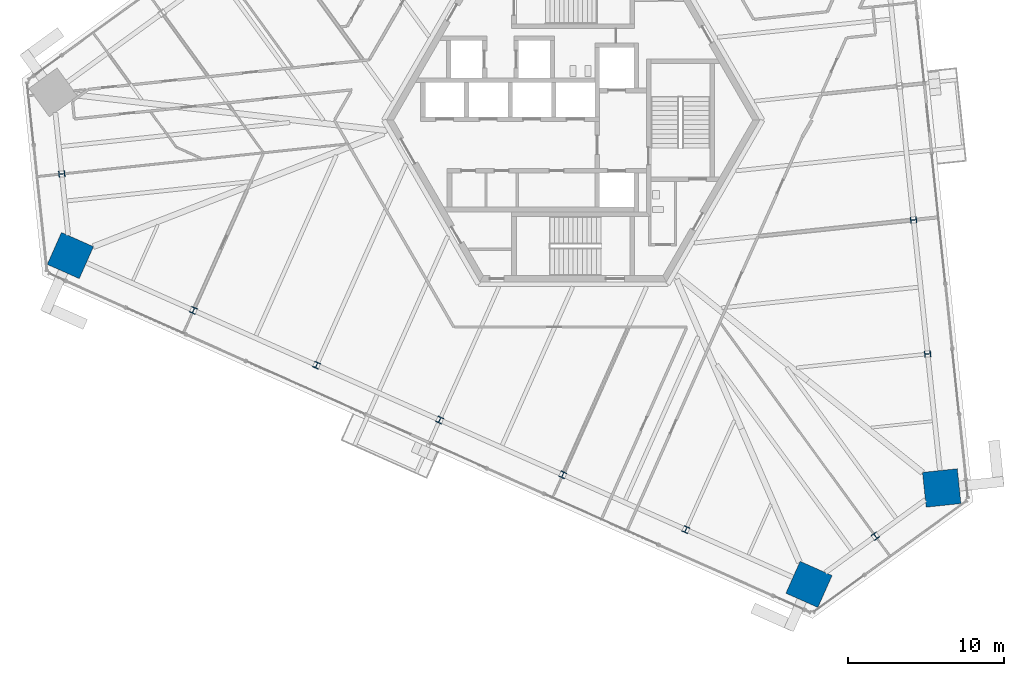
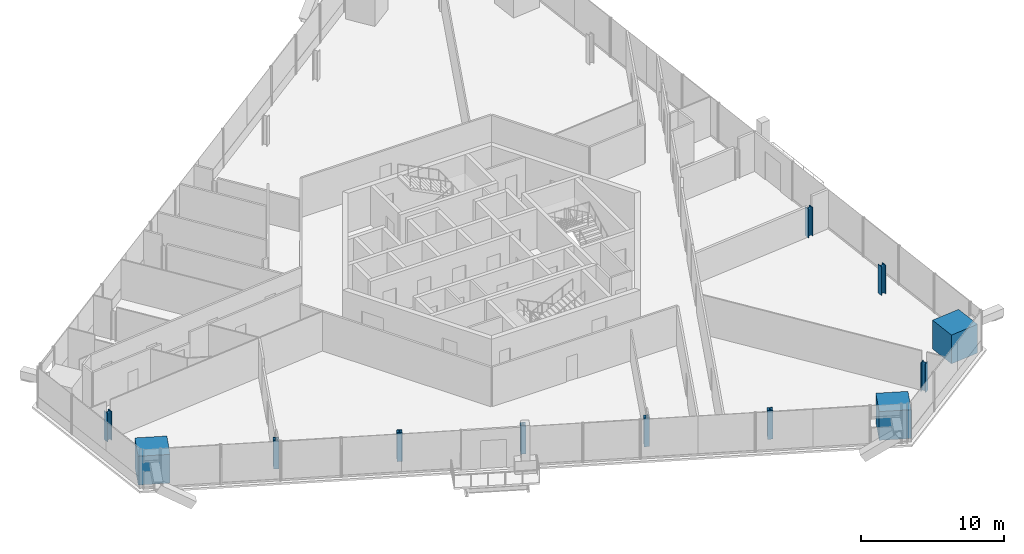
# One storey, part 1 of 25: 12 columns.
"""IFC4 building model written with IfcOpenShell, lengths in metres."""

from ifc_helpers import new_model, si_unit, direction, frame, origin, origin_2d, place, context, subcontext, project, spatial, rectangle, i_section, extrude, source, transform, mapped, material, material_profile, profile_set, type_object, element, save


model = new_model("IFC4")

# Units and contexts
model_context = context("Model", 3, precision=1e-05, world=origin(), true_north=direction((0.0, 1.0)))
body_context = subcontext(model_context, "Body", "Model", "MODEL_VIEW")
ifc_project = project(units=[si_unit("LENGTHUNIT", "METRE"), si_unit("AREAUNIT", "SQUARE_METRE"), si_unit("VOLUMEUNIT", "CUBIC_METRE"), si_unit("PLANEANGLEUNIT", "RADIAN"), si_unit("MASSUNIT", "GRAM", prefix="KILO")], contexts=[model_context])

# Site, building, storey
site_placement = place(None, origin())
site = spatial("IfcSite", under=ifc_project, at=site_placement, CompositionType="ELEMENT")
building_placement = place(site_placement, origin())
building = spatial("IfcBuilding", under=site, at=building_placement, Name="Triune Harvest Tower", CompositionType="ELEMENT")
storey_placement = place(building_placement, frame((0.0, 0.0, 90.89990234375)))
storey = spatial("IfcBuildingStorey", under=building, at=storey_placement, Name="L22", CompositionType="ELEMENT", Elevation=90.89990234375)

# Columns
ifc_material_1 = material(Name="Concrete 70 MPa", Category="concrete")
ifc_material_profile_1 = material_profile(ifc_material_1, rectangle(XDim=2.25, YDim=2.25, at=origin_2d()), Name="Composite 2250x2250")
ifc_profile_set_1 = profile_set([ifc_material_profile_1], Name="Concrete 70 MPa")
column_type_1 = type_object("IfcColumnType", Name="MC-2 Mega column Composite 2250x2250", PredefinedType="COLUMN", material=ifc_profile_set_1)
shared_shape_1 = source(origin(), body_context, "Body", "SweptSolid", [
    extrude(rectangle(XDim=2.25, YDim=2.25, at=origin_2d()), origin(), (0.0, 0.0, 1.0), 2.4501953125),
])
for number, where, z_axis, x_axis, name in (
    (1, (23.693359375, -23.6396484375, 0.0), (0.0, 0.0, 1.0), (-0.104526727499, 0.994522077803, 0.0), "col/L22/M0"),
    (2, (-32.319091796875, -8.69921875, 0.0), (0.0, 0.0, 1.0), (0.913545457643, -0.406736643076, 0.0), "col/L22/M16"),
    (3, (15.160888671875, -29.8388671875, 0.0), (0.0, 0.0, 1.0), (0.913545457643, -0.406736643076, 0.0), "col/L22/M22"),
):
    element("IfcColumn", number, at=place(storey_placement, frame(where, z_axis=z_axis, x_axis=x_axis)), inside=storey, type_object=column_type_1, Name=name, PredefinedType="COLUMN", context=body_context, shape_type="MappedRepresentation", body=[
        mapped(shared_shape_1, transform((0.0, 0.0, 0.0), scale=1.0)),
    ])
ifc_material_2 = material(Name="Steel ASTM A992 Gr 50", Category="steel")
ifc_material_profile_2 = material_profile(ifc_material_2, i_section(OverallWidth=0.398681640625, OverallDepth=0.393798828125, WebThickness=0.022705078125, FlangeThickness=0.03662109375, at=origin_2d()), Name="W14x193")
ifc_profile_set_2 = profile_set([ifc_material_profile_2], Name="Steel ASTM A992 Gr 50")
column_type_2 = type_object("IfcColumnType", Name="PC-2 Perimeter column W14x193", PredefinedType="COLUMN", material=ifc_profile_set_2)
shared_shape_2 = source(origin(), body_context, "Body", "SweptSolid", [
    extrude(i_section(OverallWidth=0.398681640625, OverallDepth=0.393798828125, WebThickness=0.022705078125, FlangeThickness=0.03662109375, at=origin_2d()), origin(), (0.0, 0.0, 1.0), 2.4501953125),
])
for number, where, z_axis, x_axis, name in (
    (4, (22.787841796875, -15.02490234375, 0.0), (0.0, 0.0, 1.0), (-0.104526727499, 0.994522077803, 0.0), "col/L22/P1"),
    (5, (21.88232421875, -6.409912109375, 0.0), (0.0, 0.0, 1.0), (-0.104526727499, 0.994522077803, 0.0), "col/L22/P2"),
    (6, (-32.870361328125, -3.454833984375, 0.0), (0.0, 0.0, 1.0), (0.104528463268, -0.994521895368, 0.0), "col/L22/P15"),
    (7, (-24.40576171875, -12.222412109375, 0.0), (0.0, 0.0, 1.0), (0.913545457643, -0.406736643076, 0.0), "col/L22/P17"),
    (8, (-16.492431640625, -15.745849609375, 0.0), (0.0, 0.0, 1.0), (0.913545457643, -0.406736643076, 0.0), "col/L22/P18"),
    (9, (-8.5791015625, -19.26904296875, 0.0), (0.0, 0.0, 1.0), (0.913545457643, -0.406736643076, 0.0), "col/L22/P19"),
    (10, (-0.665771484375, -22.792236328125, 0.0), (0.0, 0.0, 1.0), (0.913545457643, -0.406736643076, 0.0), "col/L22/P20"),
    (11, (7.24755859375, -26.3154296875, 0.0), (0.0, 0.0, 1.0), (0.913545457643, -0.406736643076, 0.0), "col/L22/P21"),
    (12, (19.427001953125, -26.7392578125, 0.0), (0.0, 0.0, 1.0), (0.809014942612, 0.587788076291, 0.0), "col/L22/P23"),
):
    element("IfcColumn", number, at=place(storey_placement, frame(where, z_axis=z_axis, x_axis=x_axis)), inside=storey, type_object=column_type_2, Name=name, PredefinedType="COLUMN", context=body_context, shape_type="MappedRepresentation", body=[
        mapped(shared_shape_2, transform((0.0, 0.0, 0.0), scale=1.0)),
    ])

save(model, "model.ifc")
